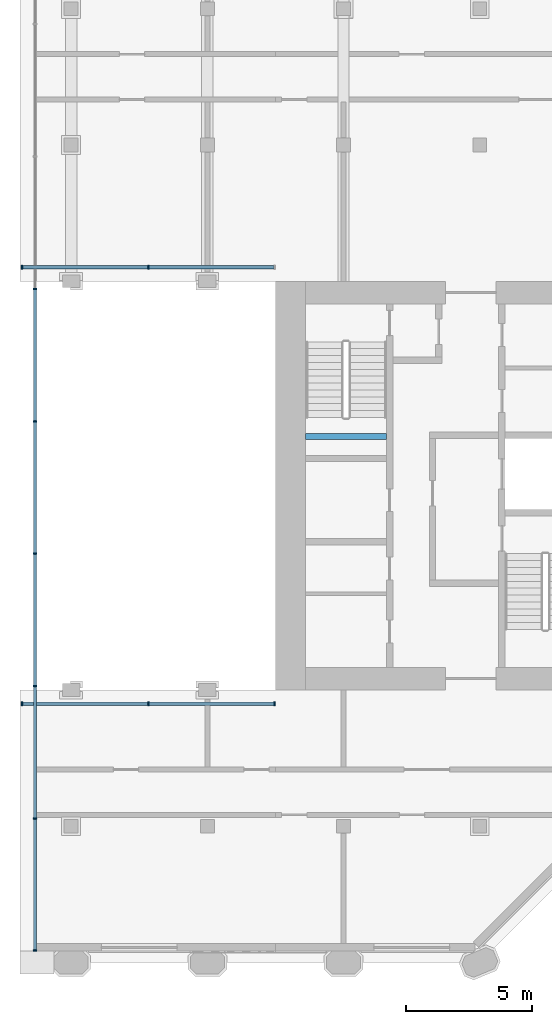
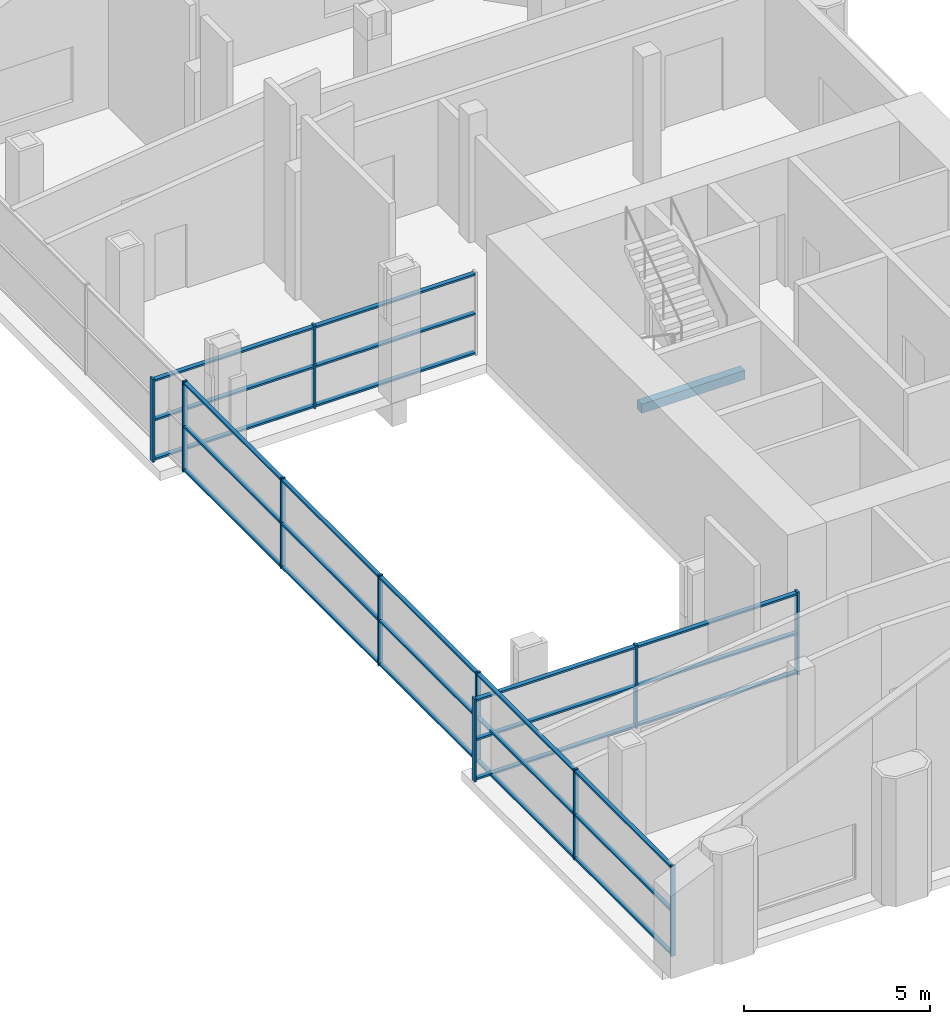
# One storey, part 2 of 8: 38 members, 1 beam, 3 elements without a shape of their own.
"""IFC4 building model written with IfcOpenShell, lengths in metres."""

from ifc_helpers import new_model, si_unit, direction, frame, origin, origin_2d, place, context, subcontext, project, spatial, rectangle, extrude, material, material_profile, profile_set, type_object, element, aggregate, save


model = new_model("IFC4")

# Units and contexts
model_context = context("Model", 3, precision=1e-05, world=origin(), true_north=direction((0.0, 1.0)))
body_context = subcontext(model_context, "Body", "Model", "MODEL_VIEW")
ifc_project = project(units=[si_unit("LENGTHUNIT", "METRE"), si_unit("AREAUNIT", "SQUARE_METRE"), si_unit("VOLUMEUNIT", "CUBIC_METRE"), si_unit("PLANEANGLEUNIT", "RADIAN"), si_unit("MASSUNIT", "GRAM", prefix="KILO")], contexts=[model_context])

# Site, building, storey
site_placement = place(None, origin())
site = spatial("IfcSite", under=ifc_project, at=site_placement, CompositionType="ELEMENT")
building_placement = place(site_placement, origin())
building = spatial("IfcBuilding", under=site, at=building_placement, Name="Tabaq Tower and Sports Hall", CompositionType="ELEMENT")
storey_placement = place(building_placement, frame((0.0, 0.0, 330.699951171875)))
storey = spatial("IfcBuildingStorey", under=building, at=storey_placement, Name="L82", CompositionType="ELEMENT", Elevation=330.699951171875)

# Curtain wall, members
ifc_material_1 = material(Name="Aluminium alloy 6063-T6 framed glazing", Category="aluminium")
curtain_wall_type_1 = type_object("IfcCurtainWallType", Name="CW1 curtain wall", PredefinedType="USERDEFINED", material=ifc_material_1)
curtain_wall_1_placement = place(storey_placement, origin())
curtain_wall_1 = element("IfcCurtainWall", 1, at=curtain_wall_1_placement, inside=storey, type_object=curtain_wall_type_1, Name="Atrium glazing L82 S", ObjectType="ATRIUM ENCLOSURE", PredefinedType="USERDEFINED")
ifc_material_2 = material(Name="Aluminium alloy 6063-T6", Category="aluminium")
ifc_material_profile_1 = material_profile(ifc_material_2, rectangle(XDim=0.159912109375, YDim=0.06005859375, at=origin_2d()), Name="MULLION 160x60")
ifc_profile_set_1 = profile_set([ifc_material_profile_1], Name="Aluminium alloy 6063-T6")
member_type_1 = type_object("IfcMemberType", Name="CW1 mullion 160x60", PredefinedType="MULLION", material=ifc_profile_set_1)
member_1_placement = place(storey_placement, frame((19.655029296875, 15.64990234375, 0.0), z_axis=(0.0, 0.0, 1.0), x_axis=(0.0, 1.0, 0.0)))
member_1 = element("IfcMember", 2, at=member_1_placement, type_object=member_type_1, Name="CW1 mullion 1", PredefinedType="MULLION", context=body_context, shape_type="SweptSolid", body=[
    extrude(rectangle(XDim=0.159912109375, YDim=0.06005859375, at=origin_2d()), origin(), (0.0, 0.0, 1.0), 2.72216796875),
])
member_2_placement = place(storey_placement, frame((24.66259765625, 15.64990234375, 0.0), z_axis=(0.0, 0.0, 1.0), x_axis=(0.0, 1.0, 0.0)))
member_2 = element("IfcMember", 3, at=member_2_placement, type_object=member_type_1, Name="CW1 mullion 2", PredefinedType="MULLION", context=body_context, shape_type="SweptSolid", body=[
    extrude(rectangle(XDim=0.159912109375, YDim=0.06005859375, at=origin_2d()), origin(), (0.0, 0.0, 1.0), 2.72216796875),
])
member_3_placement = place(storey_placement, frame((29.669921875, 15.64990234375, 0.0), z_axis=(0.0, 0.0, 1.0), x_axis=(0.0, 1.0, 0.0)))
member_3 = element("IfcMember", 4, at=member_3_placement, type_object=member_type_1, Name="CW1 mullion 3", PredefinedType="MULLION", context=body_context, shape_type="SweptSolid", body=[
    extrude(rectangle(XDim=0.159912109375, YDim=0.06005859375, at=origin_2d()), origin(), (0.0, 0.0, 1.0), 2.72216796875),
])

curtain_wall_2_placement = place(storey_placement, origin())
curtain_wall_2 = element("IfcCurtainWall", 5, at=curtain_wall_2_placement, inside=storey, type_object=curtain_wall_type_1, Name="Atrium glazing L82 N", ObjectType="ATRIUM ENCLOSURE", PredefinedType="USERDEFINED")
member_4_placement = place(storey_placement, frame((19.655029296875, 32.949951171875, 0.0), z_axis=(0.0, 0.0, 1.0), x_axis=(0.0, 1.0, 0.0)))
member_4 = element("IfcMember", 6, at=member_4_placement, type_object=member_type_1, Name="CW1 mullion 1", PredefinedType="MULLION", context=body_context, shape_type="SweptSolid", body=[
    extrude(rectangle(XDim=0.159912109375, YDim=0.06005859375, at=origin_2d()), origin(), (0.0, 0.0, 1.0), 2.72216796875),
])
member_5_placement = place(storey_placement, frame((24.66259765625, 32.949951171875, 0.0), z_axis=(0.0, 0.0, 1.0), x_axis=(0.0, 1.0, 0.0)))
member_5 = element("IfcMember", 7, at=member_5_placement, type_object=member_type_1, Name="CW1 mullion 2", PredefinedType="MULLION", context=body_context, shape_type="SweptSolid", body=[
    extrude(rectangle(XDim=0.159912109375, YDim=0.06005859375, at=origin_2d()), origin(), (0.0, 0.0, 1.0), 2.72216796875),
])

# Member
ifc_material_3 = material(Name="Aluminium alloy 6063-T6", Category="aluminium")
ifc_material_profile_2 = material_profile(ifc_material_3, rectangle(XDim=0.139892578125, YDim=0.06005859375, at=origin_2d()), Name="TRANSOM 140x60")
ifc_profile_set_2 = profile_set([ifc_material_profile_2], Name="Aluminium alloy 6063-T6")
member_type_2 = type_object("IfcMemberType", Name="CW1 transom 140x60", PredefinedType="USERDEFINED", material=ifc_profile_set_2)
member_6_placement = place(storey_placement, frame((19.68505859375, 15.64990234375, 0.070068359375), z_axis=(1.0, 0.0, 0.0), x_axis=(0.0, 1.0, 0.0)))
member_6 = element("IfcMember", 8, at=member_6_placement, type_object=member_type_2, Name="CW1 transom 1.1", ObjectType="TRANSOM", PredefinedType="USERDEFINED", context=body_context, shape_type="SweptSolid", body=[
    extrude(rectangle(XDim=0.139892578125, YDim=0.06005859375, at=origin_2d()), origin(), (0.0, 0.0, 1.0), 4.947509765625),
])

member_7_placement = place(storey_placement, frame((19.68505859375, 15.64990234375, 1.361083984375), z_axis=(1.0, 0.0, 0.0), x_axis=(0.0, 1.0, 0.0)))
member_7 = element("IfcMember", 9, at=member_7_placement, type_object=member_type_2, Name="CW1 transom 1.2", ObjectType="TRANSOM", PredefinedType="USERDEFINED", context=body_context, shape_type="SweptSolid", body=[
    extrude(rectangle(XDim=0.139892578125, YDim=0.06005859375, at=origin_2d()), origin(), (0.0, 0.0, 1.0), 4.947509765625),
])

member_8_placement = place(storey_placement, frame((19.68505859375, 15.64990234375, 2.65234375), z_axis=(1.0, 0.0, 0.0), x_axis=(0.0, 1.0, 0.0)))
member_8 = element("IfcMember", 10, at=member_8_placement, type_object=member_type_2, Name="CW1 transom 1.3", ObjectType="TRANSOM", PredefinedType="USERDEFINED", context=body_context, shape_type="SweptSolid", body=[
    extrude(rectangle(XDim=0.139892578125, YDim=0.06005859375, at=origin_2d()), origin(), (0.0, 0.0, 1.0), 4.947509765625),
])

member_9_placement = place(storey_placement, frame((24.6923828125, 15.64990234375, 0.070068359375), z_axis=(1.0, 0.0, 0.0), x_axis=(0.0, 1.0, 0.0)))
member_9 = element("IfcMember", 11, at=member_9_placement, type_object=member_type_2, Name="CW1 transom 2.1", ObjectType="TRANSOM", PredefinedType="USERDEFINED", context=body_context, shape_type="SweptSolid", body=[
    extrude(rectangle(XDim=0.139892578125, YDim=0.06005859375, at=origin_2d()), origin(), (0.0, 0.0, 1.0), 4.947509765625),
])

member_10_placement = place(storey_placement, frame((24.6923828125, 15.64990234375, 1.361083984375), z_axis=(1.0, 0.0, 0.0), x_axis=(0.0, 1.0, 0.0)))
member_10 = element("IfcMember", 12, at=member_10_placement, type_object=member_type_2, Name="CW1 transom 2.2", ObjectType="TRANSOM", PredefinedType="USERDEFINED", context=body_context, shape_type="SweptSolid", body=[
    extrude(rectangle(XDim=0.139892578125, YDim=0.06005859375, at=origin_2d()), origin(), (0.0, 0.0, 1.0), 4.947509765625),
])

member_11_placement = place(storey_placement, frame((24.6923828125, 15.64990234375, 2.65234375), z_axis=(1.0, 0.0, 0.0), x_axis=(0.0, 1.0, 0.0)))
member_11 = element("IfcMember", 13, at=member_11_placement, type_object=member_type_2, Name="CW1 transom 2.3", ObjectType="TRANSOM", PredefinedType="USERDEFINED", context=body_context, shape_type="SweptSolid", body=[
    extrude(rectangle(XDim=0.139892578125, YDim=0.06005859375, at=origin_2d()), origin(), (0.0, 0.0, 1.0), 4.947509765625),
])

aggregate(curtain_wall_1, [member_1, member_2, member_3, member_6, member_7, member_8, member_9, member_10, member_11])

member_12_placement = place(storey_placement, frame((19.68505859375, 32.949951171875, 0.070068359375), z_axis=(1.0, 0.0, 0.0), x_axis=(0.0, 1.0, 0.0)))
member_12 = element("IfcMember", 14, at=member_12_placement, type_object=member_type_2, Name="CW1 transom 1.1", ObjectType="TRANSOM", PredefinedType="USERDEFINED", context=body_context, shape_type="SweptSolid", body=[
    extrude(rectangle(XDim=0.139892578125, YDim=0.06005859375, at=origin_2d()), origin(), (0.0, 0.0, 1.0), 4.947509765625),
])

member_13_placement = place(storey_placement, frame((19.68505859375, 32.949951171875, 1.361083984375), z_axis=(1.0, 0.0, 0.0), x_axis=(0.0, 1.0, 0.0)))
member_13 = element("IfcMember", 15, at=member_13_placement, type_object=member_type_2, Name="CW1 transom 1.2", ObjectType="TRANSOM", PredefinedType="USERDEFINED", context=body_context, shape_type="SweptSolid", body=[
    extrude(rectangle(XDim=0.139892578125, YDim=0.06005859375, at=origin_2d()), origin(), (0.0, 0.0, 1.0), 4.947509765625),
])

member_14_placement = place(storey_placement, frame((19.68505859375, 32.949951171875, 2.65234375), z_axis=(1.0, 0.0, 0.0), x_axis=(0.0, 1.0, 0.0)))
member_14 = element("IfcMember", 16, at=member_14_placement, type_object=member_type_2, Name="CW1 transom 1.3", ObjectType="TRANSOM", PredefinedType="USERDEFINED", context=body_context, shape_type="SweptSolid", body=[
    extrude(rectangle(XDim=0.139892578125, YDim=0.06005859375, at=origin_2d()), origin(), (0.0, 0.0, 1.0), 4.947509765625),
])

member_15_placement = place(storey_placement, frame((24.6923828125, 32.949951171875, 0.070068359375), z_axis=(1.0, 0.0, 0.0), x_axis=(0.0, 1.0, 0.0)))
member_15 = element("IfcMember", 17, at=member_15_placement, type_object=member_type_2, Name="CW1 transom 2.1", ObjectType="TRANSOM", PredefinedType="USERDEFINED", context=body_context, shape_type="SweptSolid", body=[
    extrude(rectangle(XDim=0.139892578125, YDim=0.06005859375, at=origin_2d()), origin(), (0.0, 0.0, 1.0), 4.947509765625),
])

member_16_placement = place(storey_placement, frame((24.6923828125, 32.949951171875, 1.361083984375), z_axis=(1.0, 0.0, 0.0), x_axis=(0.0, 1.0, 0.0)))
member_16 = element("IfcMember", 18, at=member_16_placement, type_object=member_type_2, Name="CW1 transom 2.2", ObjectType="TRANSOM", PredefinedType="USERDEFINED", context=body_context, shape_type="SweptSolid", body=[
    extrude(rectangle(XDim=0.139892578125, YDim=0.06005859375, at=origin_2d()), origin(), (0.0, 0.0, 1.0), 4.947509765625),
])

member_17_placement = place(storey_placement, frame((24.6923828125, 32.949951171875, 2.65234375), z_axis=(1.0, 0.0, 0.0), x_axis=(0.0, 1.0, 0.0)))
member_17 = element("IfcMember", 19, at=member_17_placement, type_object=member_type_2, Name="CW1 transom 2.3", ObjectType="TRANSOM", PredefinedType="USERDEFINED", context=body_context, shape_type="SweptSolid", body=[
    extrude(rectangle(XDim=0.139892578125, YDim=0.06005859375, at=origin_2d()), origin(), (0.0, 0.0, 1.0), 4.947509765625),
])

aggregate(curtain_wall_2, [member_4, member_5, member_12, member_13, member_14, member_15, member_16, member_17])

# Curtain wall, members
ifc_material_4 = material(Name="Aluminium alloy 6063-T6 framed glazing", Category="aluminium")
curtain_wall_type_2 = type_object("IfcCurtainWallType", Name="CW5 curtain wall", PredefinedType="USERDEFINED", material=ifc_material_4)
curtain_wall_3_placement = place(storey_placement, origin())
curtain_wall_3 = element("IfcCurtainWall", 20, at=curtain_wall_3_placement, inside=storey, type_object=curtain_wall_type_2, Name="Crown riser glazing L82", ObjectType="CROWN GLAZING", PredefinedType="USERDEFINED")
ifc_material_5 = material(Name="Aluminium alloy 6063-T6", Category="aluminium")
ifc_material_profile_3 = material_profile(ifc_material_5, rectangle(XDim=0.139892578125, YDim=0.06005859375, at=origin_2d()), Name="MULLION 140x60")
ifc_profile_set_3 = profile_set([ifc_material_profile_3], Name="Aluminium alloy 6063-T6")
member_type_3 = type_object("IfcMemberType", Name="CW5 mullion 140x60", PredefinedType="MULLION", material=ifc_profile_set_3)
member_18_placement = place(storey_placement, frame((20.175048828125, 32.10009765625, 0.0), z_axis=(0.0, 0.0, 1.0), x_axis=(1.0, 0.0, 0.0)))
member_18 = element("IfcMember", 21, at=member_18_placement, type_object=member_type_3, Name="CW5 mullion 4", PredefinedType="MULLION", context=body_context, shape_type="SweptSolid", body=[
    extrude(rectangle(XDim=0.139892578125, YDim=0.06005859375, at=origin_2d()), origin(), (0.0, 0.0, 1.0), 2.966796875),
])
member_19_placement = place(storey_placement, frame((20.175048828125, 26.85009765625, 0.0), z_axis=(0.0, 0.0, 1.0), x_axis=(1.0, 0.0, 0.0)))
member_19 = element("IfcMember", 22, at=member_19_placement, type_object=member_type_3, Name="CW5 mullion 5", PredefinedType="MULLION", context=body_context, shape_type="SweptSolid", body=[
    extrude(rectangle(XDim=0.139892578125, YDim=0.06005859375, at=origin_2d()), origin(), (0.0, 0.0, 1.0), 2.966796875),
])
member_20_placement = place(storey_placement, frame((20.175048828125, 21.60009765625, 0.0), z_axis=(0.0, 0.0, 1.0), x_axis=(1.0, 0.0, 0.0)))
member_20 = element("IfcMember", 23, at=member_20_placement, type_object=member_type_3, Name="CW5 mullion 6", PredefinedType="MULLION", context=body_context, shape_type="SweptSolid", body=[
    extrude(rectangle(XDim=0.139892578125, YDim=0.06005859375, at=origin_2d()), origin(), (0.0, 0.0, 1.0), 2.966796875),
])
member_21_placement = place(storey_placement, frame((20.175048828125, 16.35009765625, 0.0), z_axis=(0.0, 0.0, 1.0), x_axis=(1.0, 0.0, 0.0)))
member_21 = element("IfcMember", 24, at=member_21_placement, type_object=member_type_3, Name="CW5 mullion 7", PredefinedType="MULLION", context=body_context, shape_type="SweptSolid", body=[
    extrude(rectangle(XDim=0.139892578125, YDim=0.06005859375, at=origin_2d()), origin(), (0.0, 0.0, 1.0), 2.966796875),
])
member_22_placement = place(storey_placement, frame((20.175048828125, 11.10009765625, 0.0), z_axis=(0.0, 0.0, 1.0), x_axis=(1.0, 0.0, 0.0)))
member_22 = element("IfcMember", 25, at=member_22_placement, type_object=member_type_3, Name="CW5 mullion 8", PredefinedType="MULLION", context=body_context, shape_type="SweptSolid", body=[
    extrude(rectangle(XDim=0.139892578125, YDim=0.06005859375, at=origin_2d()), origin(), (0.0, 0.0, 1.0), 2.966796875),
])
member_23_placement = place(storey_placement, frame((20.175048828125, 5.8798828125, 0.0), z_axis=(0.0, 0.0, 1.0), x_axis=(1.0, 0.0, 0.0)))
member_23 = element("IfcMember", 26, at=member_23_placement, type_object=member_type_3, Name="CW5 mullion 9", PredefinedType="MULLION", context=body_context, shape_type="SweptSolid", body=[
    extrude(rectangle(XDim=0.139892578125, YDim=0.06005859375, at=origin_2d()), origin(), (0.0, 0.0, 1.0), 2.966796875),
])
ifc_material_6 = material(Name="Aluminium alloy 6063-T6", Category="aluminium")
ifc_material_profile_4 = material_profile(ifc_material_6, rectangle(XDim=0.1201171875, YDim=0.06005859375, at=origin_2d()), Name="TRANSOM 120x60")
ifc_profile_set_4 = profile_set([ifc_material_profile_4], Name="Aluminium alloy 6063-T6")
member_type_4 = type_object("IfcMemberType", Name="CW5 transom 120x60", PredefinedType="USERDEFINED", material=ifc_profile_set_4)
member_24_placement = place(storey_placement, frame((20.175048828125, 32.070068359375, 0.06005859375), z_axis=(0.0, -1.0, 0.0), x_axis=(1.0, 0.0, 0.0)))
member_24 = element("IfcMember", 27, at=member_24_placement, type_object=member_type_4, Name="CW5 transom 4.1", ObjectType="TRANSOM", PredefinedType="USERDEFINED", context=body_context, shape_type="SweptSolid", body=[
    extrude(rectangle(XDim=0.1201171875, YDim=0.06005859375, at=origin_2d()), origin(), (0.0, 0.0, 1.0), 5.190185546875),
])
member_25_placement = place(storey_placement, frame((20.175048828125, 32.070068359375, 1.4833984375), z_axis=(0.0, -1.0, 0.0), x_axis=(1.0, 0.0, 0.0)))
member_25 = element("IfcMember", 28, at=member_25_placement, type_object=member_type_4, Name="CW5 transom 4.2", ObjectType="TRANSOM", PredefinedType="USERDEFINED", context=body_context, shape_type="SweptSolid", body=[
    extrude(rectangle(XDim=0.1201171875, YDim=0.06005859375, at=origin_2d()), origin(), (0.0, 0.0, 1.0), 5.190185546875),
])
member_26_placement = place(storey_placement, frame((20.175048828125, 32.070068359375, 2.90673828125), z_axis=(0.0, -1.0, 0.0), x_axis=(1.0, 0.0, 0.0)))
member_26 = element("IfcMember", 29, at=member_26_placement, type_object=member_type_4, Name="CW5 transom 4.3", ObjectType="TRANSOM", PredefinedType="USERDEFINED", context=body_context, shape_type="SweptSolid", body=[
    extrude(rectangle(XDim=0.1201171875, YDim=0.06005859375, at=origin_2d()), origin(), (0.0, 0.0, 1.0), 5.190185546875),
])
member_27_placement = place(storey_placement, frame((20.175048828125, 26.820068359375, 0.06005859375), z_axis=(0.0, -1.0, 0.0), x_axis=(1.0, 0.0, 0.0)))
member_27 = element("IfcMember", 30, at=member_27_placement, type_object=member_type_4, Name="CW5 transom 5.1", ObjectType="TRANSOM", PredefinedType="USERDEFINED", context=body_context, shape_type="SweptSolid", body=[
    extrude(rectangle(XDim=0.1201171875, YDim=0.06005859375, at=origin_2d()), origin(), (0.0, 0.0, 1.0), 5.190185546875),
])
member_28_placement = place(storey_placement, frame((20.175048828125, 26.820068359375, 1.4833984375), z_axis=(0.0, -1.0, 0.0), x_axis=(1.0, 0.0, 0.0)))
member_28 = element("IfcMember", 31, at=member_28_placement, type_object=member_type_4, Name="CW5 transom 5.2", ObjectType="TRANSOM", PredefinedType="USERDEFINED", context=body_context, shape_type="SweptSolid", body=[
    extrude(rectangle(XDim=0.1201171875, YDim=0.06005859375, at=origin_2d()), origin(), (0.0, 0.0, 1.0), 5.190185546875),
])
member_29_placement = place(storey_placement, frame((20.175048828125, 26.820068359375, 2.90673828125), z_axis=(0.0, -1.0, 0.0), x_axis=(1.0, 0.0, 0.0)))
member_29 = element("IfcMember", 32, at=member_29_placement, type_object=member_type_4, Name="CW5 transom 5.3", ObjectType="TRANSOM", PredefinedType="USERDEFINED", context=body_context, shape_type="SweptSolid", body=[
    extrude(rectangle(XDim=0.1201171875, YDim=0.06005859375, at=origin_2d()), origin(), (0.0, 0.0, 1.0), 5.190185546875),
])
member_30_placement = place(storey_placement, frame((20.175048828125, 21.570068359375, 0.06005859375), z_axis=(0.0, -1.0, 0.0), x_axis=(1.0, 0.0, 0.0)))
member_30 = element("IfcMember", 33, at=member_30_placement, type_object=member_type_4, Name="CW5 transom 6.1", ObjectType="TRANSOM", PredefinedType="USERDEFINED", context=body_context, shape_type="SweptSolid", body=[
    extrude(rectangle(XDim=0.1201171875, YDim=0.06005859375, at=origin_2d()), origin(), (0.0, 0.0, 1.0), 5.190185546875),
])
member_31_placement = place(storey_placement, frame((20.175048828125, 21.570068359375, 1.4833984375), z_axis=(0.0, -1.0, 0.0), x_axis=(1.0, 0.0, 0.0)))
member_31 = element("IfcMember", 34, at=member_31_placement, type_object=member_type_4, Name="CW5 transom 6.2", ObjectType="TRANSOM", PredefinedType="USERDEFINED", context=body_context, shape_type="SweptSolid", body=[
    extrude(rectangle(XDim=0.1201171875, YDim=0.06005859375, at=origin_2d()), origin(), (0.0, 0.0, 1.0), 5.190185546875),
])
member_32_placement = place(storey_placement, frame((20.175048828125, 21.570068359375, 2.90673828125), z_axis=(0.0, -1.0, 0.0), x_axis=(1.0, 0.0, 0.0)))
member_32 = element("IfcMember", 35, at=member_32_placement, type_object=member_type_4, Name="CW5 transom 6.3", ObjectType="TRANSOM", PredefinedType="USERDEFINED", context=body_context, shape_type="SweptSolid", body=[
    extrude(rectangle(XDim=0.1201171875, YDim=0.06005859375, at=origin_2d()), origin(), (0.0, 0.0, 1.0), 5.190185546875),
])
member_33_placement = place(storey_placement, frame((20.175048828125, 16.320068359375, 0.06005859375), z_axis=(0.0, -1.0, 0.0), x_axis=(1.0, 0.0, 0.0)))
member_33 = element("IfcMember", 36, at=member_33_placement, type_object=member_type_4, Name="CW5 transom 7.1", ObjectType="TRANSOM", PredefinedType="USERDEFINED", context=body_context, shape_type="SweptSolid", body=[
    extrude(rectangle(XDim=0.1201171875, YDim=0.06005859375, at=origin_2d()), origin(), (0.0, 0.0, 1.0), 5.190185546875),
])
member_34_placement = place(storey_placement, frame((20.175048828125, 16.320068359375, 1.4833984375), z_axis=(0.0, -1.0, 0.0), x_axis=(1.0, 0.0, 0.0)))
member_34 = element("IfcMember", 37, at=member_34_placement, type_object=member_type_4, Name="CW5 transom 7.2", ObjectType="TRANSOM", PredefinedType="USERDEFINED", context=body_context, shape_type="SweptSolid", body=[
    extrude(rectangle(XDim=0.1201171875, YDim=0.06005859375, at=origin_2d()), origin(), (0.0, 0.0, 1.0), 5.190185546875),
])
member_35_placement = place(storey_placement, frame((20.175048828125, 16.320068359375, 2.90673828125), z_axis=(0.0, -1.0, 0.0), x_axis=(1.0, 0.0, 0.0)))
member_35 = element("IfcMember", 38, at=member_35_placement, type_object=member_type_4, Name="CW5 transom 7.3", ObjectType="TRANSOM", PredefinedType="USERDEFINED", context=body_context, shape_type="SweptSolid", body=[
    extrude(rectangle(XDim=0.1201171875, YDim=0.06005859375, at=origin_2d()), origin(), (0.0, 0.0, 1.0), 5.190185546875),
])
member_36_placement = place(storey_placement, frame((20.175048828125, 11.070068359375, 0.06005859375), z_axis=(0.0, -1.0, 0.0), x_axis=(1.0, 0.0, 0.0)))
member_36 = element("IfcMember", 39, at=member_36_placement, type_object=member_type_4, Name="CW5 transom 8.1", ObjectType="TRANSOM", PredefinedType="USERDEFINED", context=body_context, shape_type="SweptSolid", body=[
    extrude(rectangle(XDim=0.1201171875, YDim=0.06005859375, at=origin_2d()), origin(), (0.0, 0.0, 1.0), 5.16015625),
])
member_37_placement = place(storey_placement, frame((20.175048828125, 11.070068359375, 1.4833984375), z_axis=(0.0, -1.0, 0.0), x_axis=(1.0, 0.0, 0.0)))
member_37 = element("IfcMember", 40, at=member_37_placement, type_object=member_type_4, Name="CW5 transom 8.2", ObjectType="TRANSOM", PredefinedType="USERDEFINED", context=body_context, shape_type="SweptSolid", body=[
    extrude(rectangle(XDim=0.1201171875, YDim=0.06005859375, at=origin_2d()), origin(), (0.0, 0.0, 1.0), 5.16015625),
])
member_38_placement = place(storey_placement, frame((20.175048828125, 11.070068359375, 2.90673828125), z_axis=(0.0, -1.0, 0.0), x_axis=(1.0, 0.0, 0.0)))
member_38 = element("IfcMember", 41, at=member_38_placement, type_object=member_type_4, Name="CW5 transom 8.3", ObjectType="TRANSOM", PredefinedType="USERDEFINED", context=body_context, shape_type="SweptSolid", body=[
    extrude(rectangle(XDim=0.1201171875, YDim=0.06005859375, at=origin_2d()), origin(), (0.0, 0.0, 1.0), 5.16015625),
])
aggregate(curtain_wall_3, [member_18, member_19, member_20, member_21, member_22, member_23, member_24, member_25, member_26, member_27, member_28, member_29, member_30, member_31, member_32, member_33, member_34, member_35, member_36, member_37, member_38])

# Beam
ifc_material_7 = material(Name="Concrete C40/50", Category="concrete")
ifc_material_profile_5 = material_profile(ifc_material_7, rectangle(XDim=0.25, YDim=0.300048828125, at=origin_2d()), Name="RC 250x300")
ifc_profile_set_5 = profile_set([ifc_material_profile_5], Name="Concrete C40/50")
beam_type = type_object("IfcBeamType", Name="Stair landing beam 250x300", PredefinedType="BEAM", material=ifc_profile_set_5)
beam_placement = place(storey_placement, frame((30.89990234375, 26.25, 1.900146484375), z_axis=(1.0, 0.0, 0.0), x_axis=(0.0, 1.0, 0.0)))
element("IfcBeam", 42, at=beam_placement, inside=storey, type_object=beam_type, Name="L82 ST4 landing beam 1", PredefinedType="BEAM", context=body_context, shape_type="SweptSolid", body=[
    extrude(rectangle(XDim=0.25, YDim=0.300048828125, at=origin_2d()), origin(), (0.0, 0.0, 1.0), 3.2001953125),
])

save(model, "model.ifc")
